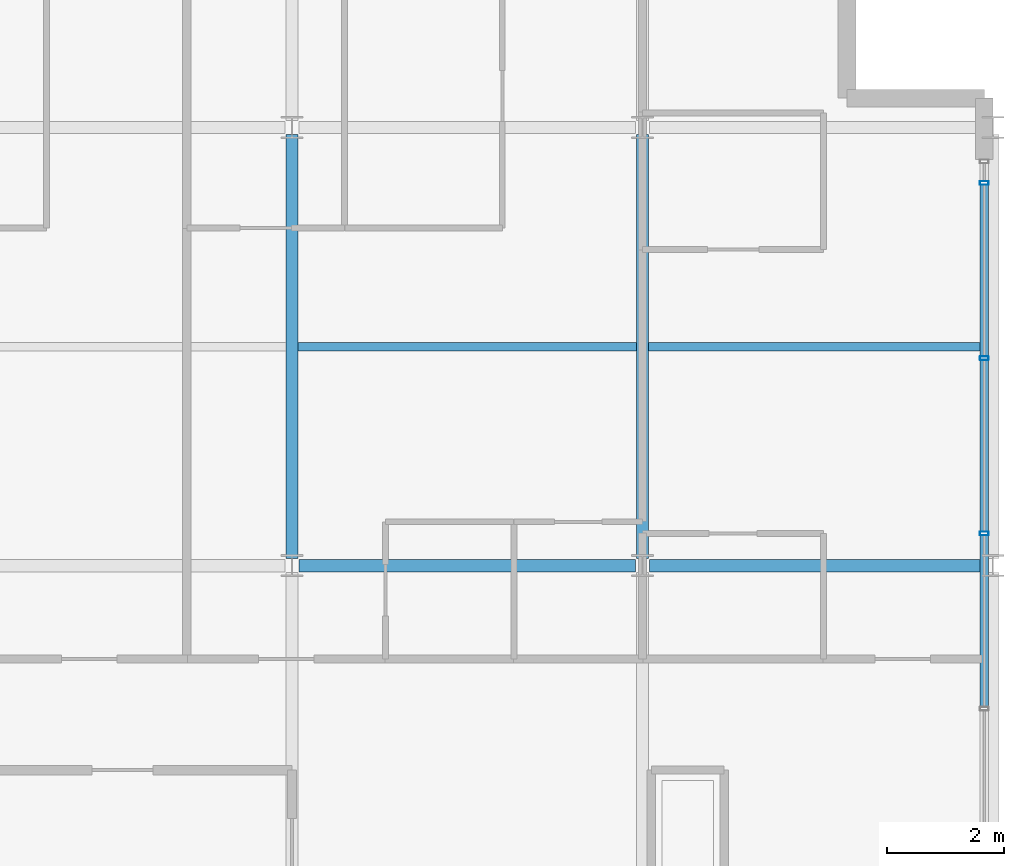
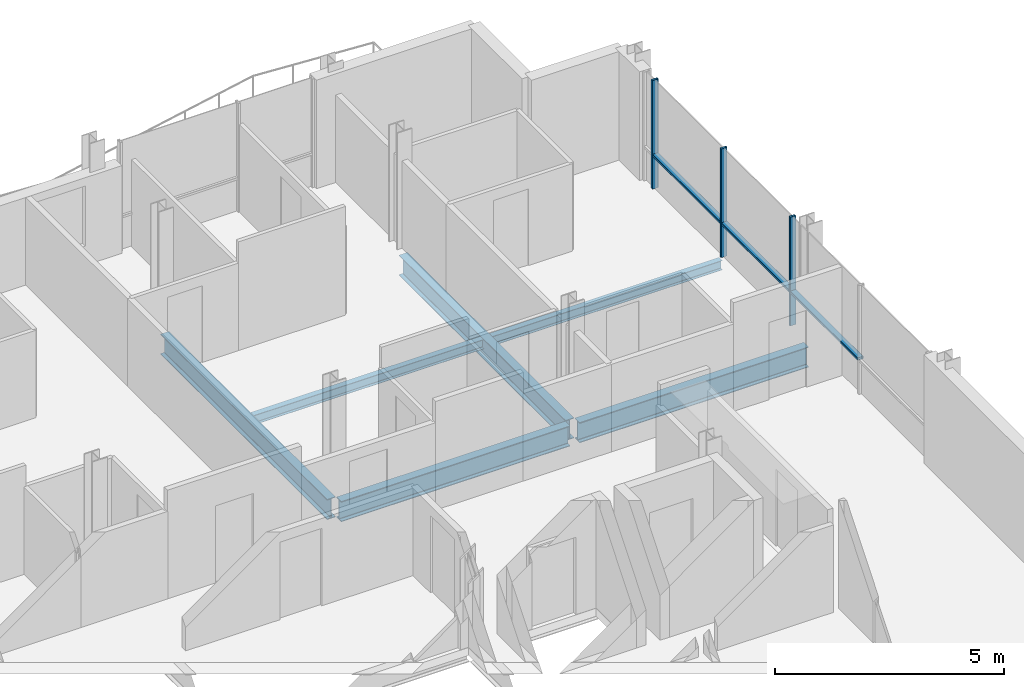
# One storey, part 13 of 29: 6 beams, 6 members, 1 element without a shape of its own.
"""IFC4 building model written with IfcOpenShell, lengths in metres."""

from ifc_helpers import new_model, si_unit, direction, frame, origin, origin_2d, place, context, subcontext, project, spatial, hollow_rectangle, i_section, extrude, material, layer, layer_set, material_profile, profile_set, type_object, element, aggregate, save


model = new_model("IFC4")

# Units and contexts
model_context = context("Model", 3, precision=1e-05, world=origin(), true_north=direction((0.0, 1.0)))
body_context = subcontext(model_context, "Body", "Model", "MODEL_VIEW")
ifc_project = project(units=[si_unit("LENGTHUNIT", "METRE"), si_unit("AREAUNIT", "SQUARE_METRE"), si_unit("VOLUMEUNIT", "CUBIC_METRE"), si_unit("PLANEANGLEUNIT", "RADIAN"), si_unit("MASSUNIT", "GRAM", prefix="KILO")], contexts=[model_context])

# Site, building, storey
site_placement = place(None, origin())
site = spatial("IfcSite", under=ifc_project, at=site_placement, CompositionType="ELEMENT")
building_placement = place(site_placement, origin())
building = spatial("IfcBuilding", under=site, at=building_placement, Name="Brevholm Reach", CompositionType="ELEMENT")
storey_placement = place(building_placement, frame((0.0, 0.0, 201.800048828125)))
storey = spatial("IfcBuildingStorey", under=building, at=storey_placement, Name="L61", CompositionType="ELEMENT", Elevation=201.800048828125)

# Beams
ifc_material_1 = material(Name="Structural Steel S355J2", Category="steel")
ifc_material_profile_1 = material_profile(ifc_material_1, i_section(OverallWidth=0.14599609375, OverallDepth=0.25146484375, WebThickness=0.006103515625, FlangeThickness=0.008544921875, FilletRadius=0.007568359375, at=origin_2d()), Name="UKB 254x146x31")
ifc_profile_set_1 = profile_set([ifc_material_profile_1], Name="Structural Steel S355J2")
beam_type_1 = type_object("IfcBeamType", Name="BM-B254", PredefinedType="BEAM", material=ifc_profile_set_1)
beam_1_placement = place(storey_placement, frame((48.10546875, 19.75, -0.335693359375), z_axis=(1.0, 0.0, 0.0), x_axis=(0.0, 1.0, 0.0)))
element("IfcBeam", 1, at=beam_1_placement, inside=storey, type_object=beam_type_1, Name="L61 Composite Secondary Floor Beam", PredefinedType="BEAM", context=body_context, shape_type="SweptSolid", body=[
    extrude(i_section(OverallWidth=0.14599609375, OverallDepth=0.25146484375, WebThickness=0.006103515625, FlangeThickness=0.008544921875, FilletRadius=0.007568359375, at=origin_2d()), origin(), (0.0, 0.0, 1.0), 5.7890625),
])
beam_2_placement = place(storey_placement, frame((54.10546875, 19.75, -0.335693359375), z_axis=(1.0, 0.0, 0.0), x_axis=(0.0, 1.0, 0.0)))
element("IfcBeam", 2, at=beam_2_placement, inside=storey, type_object=beam_type_1, Name="L61 Composite Secondary Floor Beam", PredefinedType="BEAM", context=body_context, shape_type="SweptSolid", body=[
    extrude(i_section(OverallWidth=0.14599609375, OverallDepth=0.25146484375, WebThickness=0.006103515625, FlangeThickness=0.008544921875, FilletRadius=0.007568359375, at=origin_2d()), origin(), (0.0, 0.0, 1.0), 5.789794921875),
])
ifc_material_2 = material(Name="Structural Steel S355J2", Category="steel")
ifc_material_profile_2 = material_profile(ifc_material_2, i_section(OverallWidth=0.210693359375, OverallDepth=0.53955078125, WebThickness=0.01171875, FlangeThickness=0.018798828125, FilletRadius=0.0126953125, at=origin_2d()), Name="UKB 533x210x109")
ifc_profile_set_2 = profile_set([ifc_material_profile_2], Name="Structural Steel S355J2")
beam_type_2 = type_object("IfcBeamType", Name="BM-SP539", PredefinedType="SPANDREL", material=ifc_profile_set_2)
for number, where, z_axis, x_axis, name in (
    (3, (48.1201171875, 16.0, -0.479736328125), (1.0, 0.0, 0.0), (0.0, 1.0, 0.0), "L61 SP-01B Framing Beam"),
    (4, (54.1201171875, 16.0, -0.479736328125), (1.0, 0.0, 0.0), (0.0, 1.0, 0.0), "L61 SP-01B Framing Beam"),
):
    element("IfcBeam", number, at=place(storey_placement, frame(where, z_axis=z_axis, x_axis=x_axis)), inside=storey, type_object=beam_type_2, Name=name, PredefinedType="SPANDREL", context=body_context, shape_type="SweptSolid", body=[
        extrude(i_section(OverallWidth=0.210693359375, OverallDepth=0.53955078125, WebThickness=0.01171875, FlangeThickness=0.018798828125, FilletRadius=0.0126953125, at=origin_2d()), origin(), (0.0, 0.0, 1.0), 5.759765625),
    ])
for number, where, z_axis, x_axis, name in (
    (5, (48.0, 16.1201171875, -0.479736328125), (0.0, 1.0, 0.0), (-1.0, 0.0, 0.0), "L61 SP-01B Framing Beam"),
    (6, (54.0, 16.1201171875, -0.479736328125), (0.0, 1.0, 0.0), (-1.0, 0.0, 0.0), "L61 SP-01B Framing Beam"),
):
    element("IfcBeam", number, at=place(storey_placement, frame(where, z_axis=z_axis, x_axis=x_axis)), inside=storey, type_object=beam_type_2, Name=name, PredefinedType="SPANDREL", context=body_context, shape_type="SweptSolid", body=[
        extrude(i_section(OverallWidth=0.210693359375, OverallDepth=0.53955078125, WebThickness=0.01171875, FlangeThickness=0.018798828125, FilletRadius=0.0126953125, at=origin_2d()), origin(), (0.0, 0.0, 1.0), 7.259765625),
    ])

# Curtain wall, members
ifc_material_3 = material(Name="Dark Anodised Aluminium 6063-T6 and Solar-Control Glass", Category="aluminium")
ifc_layer = layer(ifc_material_3, 0.14990234375)
ifc_layer_set = layer_set([ifc_layer], Name="Dark Anodised Aluminium 6063-T6 and Solar-Control Glass")
curtain_wall_type = type_object("IfcCurtainWallType", Name="CW-01", PredefinedType="NOTDEFINED", material=ifc_layer_set)
curtain_wall_placement = place(storey_placement, origin())
curtain_wall = element("IfcCurtainWall", 7, at=curtain_wall_placement, inside=storey, type_object=curtain_wall_type, Name="L61 Curtain Wall CW-01", PredefinedType="NOTDEFINED")
ifc_material_4 = material(Name="Dark Anodised Aluminium 6063-T6", Category="aluminium")
ifc_material_profile_3 = material_profile(ifc_material_4, hollow_rectangle(XDim=0.06494140625, YDim=0.14990234375, WallThickness=0.0048828125, InnerFilletRadius=0.0048828125, OuterFilletRadius=0.010009765625, at=origin_2d()), Name="RHS 150x65x5")
ifc_profile_set_3 = profile_set([ifc_material_profile_3], Name="Dark Anodised Aluminium 6063-T6")
member_type_1 = type_object("IfcMemberType", Name="CWM-150", PredefinedType="MULLION", material=ifc_profile_set_3)
member_1_placement = place(storey_placement, frame((59.85009765625, 16.550048828125, 0.0), z_axis=(0.0, 0.0, 1.0), x_axis=(0.0, 1.0, 0.0)))
member_1 = element("IfcMember", 8, at=member_1_placement, type_object=member_type_1, Name="CM-150 Mullion 3", PredefinedType="MULLION", context=body_context, shape_type="SweptSolid", body=[
    extrude(hollow_rectangle(XDim=0.06494140625, YDim=0.14990234375, WallThickness=0.0048828125, InnerFilletRadius=0.0048828125, OuterFilletRadius=0.010009765625, at=origin_2d()), origin(), (0.0, 0.0, 1.0), 2.889892578125),
])
member_2_placement = place(storey_placement, frame((59.85009765625, 19.550048828125, 0.0), z_axis=(0.0, 0.0, 1.0), x_axis=(0.0, 1.0, 0.0)))
member_2 = element("IfcMember", 9, at=member_2_placement, type_object=member_type_1, Name="CM-150 Mullion 4", PredefinedType="MULLION", context=body_context, shape_type="SweptSolid", body=[
    extrude(hollow_rectangle(XDim=0.06494140625, YDim=0.14990234375, WallThickness=0.0048828125, InnerFilletRadius=0.0048828125, OuterFilletRadius=0.010009765625, at=origin_2d()), origin(), (0.0, 0.0, 1.0), 2.889892578125),
])
member_3_placement = place(storey_placement, frame((59.85009765625, 22.550048828125, 0.0), z_axis=(0.0, 0.0, 1.0), x_axis=(0.0, 1.0, 0.0)))
member_3 = element("IfcMember", 10, at=member_3_placement, type_object=member_type_1, Name="CM-150 Mullion 5", PredefinedType="MULLION", context=body_context, shape_type="SweptSolid", body=[
    extrude(hollow_rectangle(XDim=0.06494140625, YDim=0.14990234375, WallThickness=0.0048828125, InnerFilletRadius=0.0048828125, OuterFilletRadius=0.010009765625, at=origin_2d()), origin(), (0.0, 0.0, 1.0), 2.889892578125),
])
ifc_material_5 = material(Name="Dark Anodised Aluminium 6063-T6", Category="aluminium")
ifc_material_profile_4 = material_profile(ifc_material_5, hollow_rectangle(XDim=0.06494140625, YDim=0.14990234375, WallThickness=0.0048828125, InnerFilletRadius=0.0048828125, OuterFilletRadius=0.010009765625, at=origin_2d()), Name="RHS 150x65x5")
ifc_profile_set_4 = profile_set([ifc_material_profile_4], Name="Dark Anodised Aluminium 6063-T6")
member_type_2 = type_object("IfcMemberType", Name="CWT-150", PredefinedType="NOTDEFINED", material=ifc_profile_set_4)
member_4_placement = place(storey_placement, frame((59.85009765625, 13.58251953125, 0.89990234375), z_axis=(0.0, 1.0, 0.0), x_axis=(0.0, 0.0, 1.0)))
member_4 = element("IfcMember", 11, at=member_4_placement, type_object=member_type_2, Name="CT-150 Transom 2.1", ObjectType="TRANSOM", PredefinedType="USERDEFINED", context=body_context, shape_type="SweptSolid", body=[
    extrude(hollow_rectangle(XDim=0.06494140625, YDim=0.14990234375, WallThickness=0.0048828125, InnerFilletRadius=0.0048828125, OuterFilletRadius=0.010009765625, at=origin_2d()), origin(), (0.0, 0.0, 1.0), 2.93505859375),
])
member_5_placement = place(storey_placement, frame((59.85009765625, 16.58251953125, 0.89990234375), z_axis=(0.0, 1.0, 0.0), x_axis=(0.0, 0.0, 1.0)))
member_5 = element("IfcMember", 12, at=member_5_placement, type_object=member_type_2, Name="CT-150 Transom 3.1", ObjectType="TRANSOM", PredefinedType="USERDEFINED", context=body_context, shape_type="SweptSolid", body=[
    extrude(hollow_rectangle(XDim=0.06494140625, YDim=0.14990234375, WallThickness=0.0048828125, InnerFilletRadius=0.0048828125, OuterFilletRadius=0.010009765625, at=origin_2d()), origin(), (0.0, 0.0, 1.0), 2.93505859375),
])
member_6_placement = place(storey_placement, frame((59.85009765625, 19.58251953125, 0.89990234375), z_axis=(0.0, 1.0, 0.0), x_axis=(0.0, 0.0, 1.0)))
member_6 = element("IfcMember", 13, at=member_6_placement, type_object=member_type_2, Name="CT-150 Transom 4.1", ObjectType="TRANSOM", PredefinedType="USERDEFINED", context=body_context, shape_type="SweptSolid", body=[
    extrude(hollow_rectangle(XDim=0.06494140625, YDim=0.14990234375, WallThickness=0.0048828125, InnerFilletRadius=0.0048828125, OuterFilletRadius=0.010009765625, at=origin_2d()), origin(), (0.0, 0.0, 1.0), 2.93505859375),
])
aggregate(curtain_wall, [member_1, member_2, member_3, member_4, member_5, member_6])

save(model, "model.ifc")
